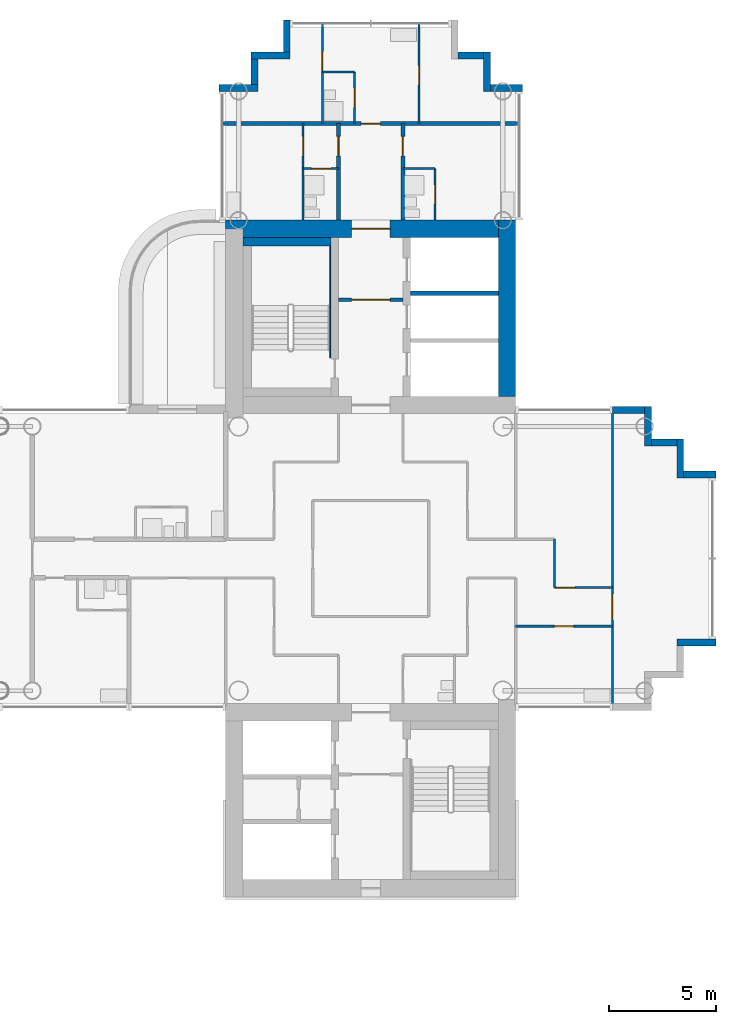
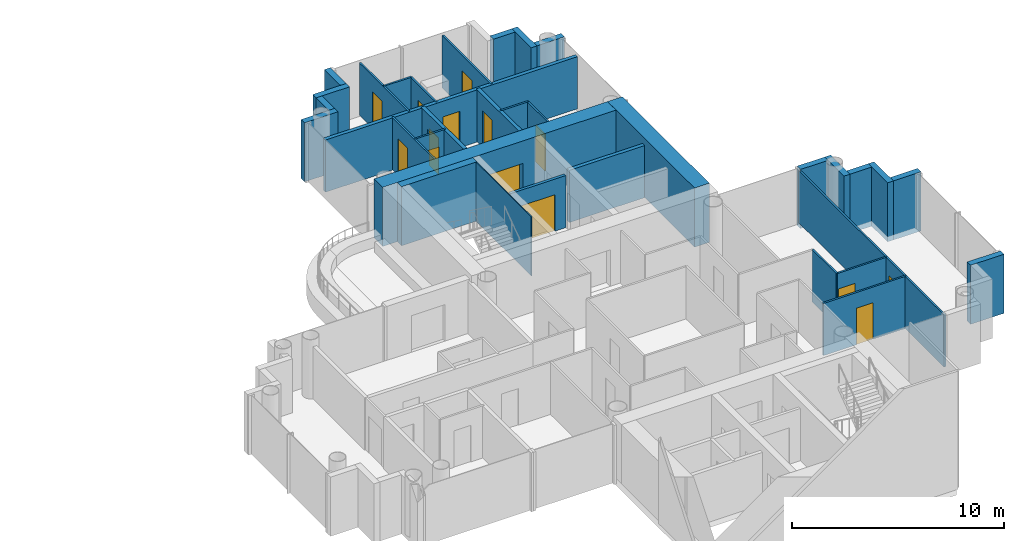
# One storey, part 12 of 20: 34 walls, 14 doors, 14 openings.
"""IFC4 building model written with IfcOpenShell, lengths in metres."""

from ifc_helpers import new_model, si_unit, direction, frame, frame_2d, origin, place, context, subcontext, project, spatial, rectangle, extrude, material, layer, layer_set, type_object, element, fill, save


model = new_model("IFC4")

# Units and contexts
model_context = context("Model", 3, precision=1e-05, world=origin(), true_north=direction((0.0, 1.0)))
body_context = subcontext(model_context, "Body", "Model", "MODEL_VIEW")
ifc_project = project(units=[si_unit("LENGTHUNIT", "METRE"), si_unit("AREAUNIT", "SQUARE_METRE"), si_unit("VOLUMEUNIT", "CUBIC_METRE"), si_unit("PLANEANGLEUNIT", "RADIAN"), si_unit("MASSUNIT", "GRAM", prefix="KILO")], contexts=[model_context])

# Site, building, storey
site_placement = place(None, origin())
site = spatial("IfcSite", under=ifc_project, at=site_placement, CompositionType="ELEMENT")
building_placement = place(site_placement, origin())
building = spatial("IfcBuilding", under=site, at=building_placement, Name="Ipe Terrace Towers", CompositionType="ELEMENT")
storey_placement = place(building_placement, frame((0.0, 0.0, 167.699951171875)))
storey = spatial("IfcBuildingStorey", under=building, at=storey_placement, Name="L46", CompositionType="ELEMENT", Elevation=167.699951171875)

# Walls
ifc_material_1 = material(Name="Concrete C40/50 with buff precast cladding", Category="concrete")
ifc_layer_1 = layer(ifc_material_1, 0.320068359375)
ifc_layer_set_1 = layer_set([ifc_layer_1], Name="BUFF CLADDING WALL 320")
wall_type_1 = type_object("IfcWallType", Name="BUFF CLADDING WALL 320", PredefinedType="STANDARD", material=ifc_layer_set_1)
wall_1_placement = place(storey_placement, frame((50.25, -3.909912109375, -0.300048828125), z_axis=(0.0, 0.0, 1.0), x_axis=(1.0, 0.0, 0.0)))
element("IfcWall", 1, at=wall_1_placement, inside=storey, type_object=wall_type_1, Name="T2-W-L46-07a wall", PredefinedType="STANDARD", context=body_context, shape_type="SweptSolid", body=[
    extrude(rectangle(XDim=1.820068359375, YDim=0.320068359375, at=frame_2d((0.91015625, 0.0))), origin(), (0.0, 0.0, 1.0), 3.400146484375),
])
wall_2_placement = place(storey_placement, frame((52.070068359375, 3.909912109375, -0.300048828125), z_axis=(0.0, 0.0, 1.0), x_axis=(-1.0, 0.0, 0.0)))
element("IfcWall", 2, at=wall_2_placement, inside=storey, type_object=wall_type_1, Name="T2-W-L46-09a wall", PredefinedType="STANDARD", context=body_context, shape_type="SweptSolid", body=[
    extrude(rectangle(XDim=1.5, YDim=0.320068359375, at=frame_2d((0.75, 0.0))), origin(), (0.0, 0.0, 1.0), 3.400146484375),
])
wall_3_placement = place(storey_placement, frame((50.409912109375, 3.75, -0.300048828125), z_axis=(0.0, 0.0, 1.0), x_axis=(0.0, 1.0, 0.0)))
element("IfcWall", 3, at=wall_3_placement, inside=storey, type_object=wall_type_1, Name="T2-W-L46-10a wall", PredefinedType="STANDARD", context=body_context, shape_type="SweptSolid", body=[
    extrude(rectangle(XDim=1.820068359375, YDim=0.320068359375, at=frame_2d((0.91015625, 0.0))), origin(), (0.0, 0.0, 1.0), 3.400146484375),
])
wall_4_placement = place(storey_placement, frame((50.25, 5.409912109375, -0.300048828125), z_axis=(0.0, 0.0, 1.0), x_axis=(-1.0, 0.0, 0.0)))
element("IfcWall", 4, at=wall_4_placement, inside=storey, type_object=wall_type_1, Name="T2-W-L46-11a wall", PredefinedType="STANDARD", context=body_context, shape_type="SweptSolid", body=[
    extrude(rectangle(XDim=1.179931640625, YDim=0.320068359375, at=frame_2d((0.58984375, 0.0))), origin(), (0.0, 0.0, 1.0), 3.400146484375),
])
wall_5_placement = place(storey_placement, frame((48.909912109375, 5.25, -0.300048828125), z_axis=(0.0, 0.0, 1.0), x_axis=(0.0, 1.0, 0.0)))
element("IfcWall", 5, at=wall_5_placement, inside=storey, type_object=wall_type_1, Name="T2-W-L46-12a wall", PredefinedType="STANDARD", context=body_context, shape_type="SweptSolid", body=[
    extrude(rectangle(XDim=1.820068359375, YDim=0.320068359375, at=frame_2d((0.91015625, 0.0))), origin(), (0.0, 0.0, 1.0), 3.400146484375),
])
for number, where, z_axis, x_axis, name in (
    (6, (48.75, 6.909912109375, -0.300048828125), (0.0, 0.0, 1.0), (-1.0, 0.0, 0.0), "T2-W-L46-13a wall"),
    (7, (43.070068359375, 21.909912109375, -0.300048828125), (0.0, 0.0, 1.0), (-1.0, 0.0, 0.0), "T2-W-L46-17a wall"),
):
    element("IfcWall", number, at=place(storey_placement, frame(where, z_axis=z_axis, x_axis=x_axis)), inside=storey, type_object=wall_type_1, Name=name, PredefinedType="STANDARD", context=body_context, shape_type="SweptSolid", body=[
        extrude(rectangle(XDim=1.5, YDim=0.320068359375, at=frame_2d((0.75, 0.0))), origin(), (0.0, 0.0, 1.0), 3.400146484375),
    ])
wall_6_placement = place(storey_placement, frame((41.409912109375, 21.75, -0.300048828125), z_axis=(0.0, 0.0, 1.0), x_axis=(0.0, 1.0, 0.0)))
element("IfcWall", 8, at=wall_6_placement, inside=storey, type_object=wall_type_1, Name="T2-W-L46-18a wall", PredefinedType="STANDARD", context=body_context, shape_type="SweptSolid", body=[
    extrude(rectangle(XDim=1.820068359375, YDim=0.320068359375, at=frame_2d((0.91015625, 0.0))), origin(), (0.0, 0.0, 1.0), 3.400146484375),
])
wall_7_placement = place(storey_placement, frame((41.25, 23.409912109375, -0.300048828125), z_axis=(0.0, 0.0, 1.0), x_axis=(-1.0, 0.0, 0.0)))
element("IfcWall", 9, at=wall_7_placement, inside=storey, type_object=wall_type_1, Name="T2-W-L46-19a wall", PredefinedType="STANDARD", context=body_context, shape_type="SweptSolid", body=[
    extrude(rectangle(XDim=1.179931640625, YDim=0.320068359375, at=frame_2d((0.58984375, 0.0))), origin(), (0.0, 0.0, 1.0), 3.400146484375),
])
wall_8_placement = place(storey_placement, frame((32.090087890625, 25.070068359375, -0.300048828125), z_axis=(0.0, 0.0, 1.0), x_axis=(0.0, -1.0, 0.0)))
element("IfcWall", 10, at=wall_8_placement, inside=storey, type_object=wall_type_1, Name="T2-W-L46-22a wall", PredefinedType="STANDARD", context=body_context, shape_type="SweptSolid", body=[
    extrude(rectangle(XDim=1.5, YDim=0.320068359375, at=frame_2d((0.75, 0.0))), origin(), (0.0, 0.0, 1.0), 3.400146484375),
])
wall_9_placement = place(storey_placement, frame((32.25, 23.409912109375, -0.300048828125), z_axis=(0.0, 0.0, 1.0), x_axis=(-1.0, 0.0, 0.0)))
element("IfcWall", 11, at=wall_9_placement, inside=storey, type_object=wall_type_1, Name="T2-W-L46-23a wall", PredefinedType="STANDARD", context=body_context, shape_type="SweptSolid", body=[
    extrude(rectangle(XDim=1.820068359375, YDim=0.320068359375, at=frame_2d((0.91015625, 0.0))), origin(), (0.0, 0.0, 1.0), 3.400146484375),
])
wall_10_placement = place(storey_placement, frame((30.590087890625, 23.25, -0.300048828125), z_axis=(0.0, 0.0, 1.0), x_axis=(0.0, -1.0, 0.0)))
element("IfcWall", 12, at=wall_10_placement, inside=storey, type_object=wall_type_1, Name="T2-W-L46-24a wall", PredefinedType="STANDARD", context=body_context, shape_type="SweptSolid", body=[
    extrude(rectangle(XDim=1.179931640625, YDim=0.320068359375, at=frame_2d((0.58984375, 0.0))), origin(), (0.0, 0.0, 1.0), 3.400146484375),
])
wall_11_placement = place(storey_placement, frame((30.75, 21.909912109375, -0.300048828125), z_axis=(0.0, 0.0, 1.0), x_axis=(-1.0, 0.0, 0.0)))
element("IfcWall", 13, at=wall_11_placement, inside=storey, type_object=wall_type_1, Name="T2-W-L46-25a wall", PredefinedType="STANDARD", context=body_context, shape_type="SweptSolid", body=[
    extrude(rectangle(XDim=1.820068359375, YDim=0.320068359375, at=frame_2d((0.91015625, 0.0))), origin(), (0.0, 0.0, 1.0), 3.400146484375),
])

# Wall, opening, door
ifc_material_2 = material(Name="Gypsum board partition", Category="plasterboard")
ifc_layer_2 = layer(ifc_material_2, 0.10009765625)
ifc_layer_set_2 = layer_set([ifc_layer_2], Name="Gypsum board partition 100 mm")
wall_type_2 = type_object("IfcWallType", Name="Gypsum board partition 100 mm", PredefinedType="PARTITIONING", material=ifc_layer_set_2)
wall_12_placement = place(storey_placement, frame((47.25, -3.14990234375, 0.0), z_axis=(0.0, 0.0, 1.0), x_axis=(-1.0, 0.0, 0.0)))
wall_12 = element("IfcWall", 14, at=wall_12_placement, inside=storey, type_object=wall_type_2, Name="Gypsum board partition T2 L46 W03", PredefinedType="PARTITIONING", context=body_context, shape_type="SweptSolid", body=[
    extrude(rectangle(XDim=4.5, YDim=0.10009765625, at=frame_2d((2.25, 0.0))), origin(), (0.0, 0.0, 1.0), 3.0),
])
opening_1_placement = place(wall_12_placement, frame((1.800048828125, 0.0, 0.0)))
opening_1 = element("IfcOpeningElement", 15, at=opening_1_placement, cuts=wall_12, Name="Opening T2-Z3F-14", PredefinedType="OPENING", context=body_context, shape_type="SweptSolid", body=[
    extrude(rectangle(XDim=0.89990234375, YDim=2.10009765625, at=frame_2d((0.449951171875, 1.050048828125))), frame((0.0, 0.06005859375, 0.0), z_axis=(0.0, -1.0, 0.0), x_axis=(1.0, 0.0, 0.0)), (0.0, 0.0, 1.0), 0.1201171875),
])
ifc_material_3 = material(Name="Timber door leaf", Category="wood")
door_type_1 = type_object("IfcDoorType", Name="Lounge door 900 x 2100", OperationType="NOTDEFINED", PredefinedType="DOOR", material=ifc_material_3)
door_1_placement = place(opening_1_placement, origin())
door_1 = element("IfcDoor", 16, at=door_1_placement, inside=storey, type_object=door_type_1, Name="Lounge door T2-Z3F-14", OperationType="SINGLE_SWING_LEFT", OverallHeight=2.10009765625, OverallWidth=0.89990234375, PredefinedType="DOOR", context=body_context, shape_type="SweptSolid", body=[
    extrude(rectangle(XDim=0.89990234375, YDim=2.10009765625, at=frame_2d((0.449951171875, 1.050048828125))), frame((0.0, 0.02490234375, 0.0), z_axis=(0.0, -1.0, 0.0), x_axis=(1.0, 0.0, 0.0)), (0.0, 0.0, 1.0), 0.050048828125),
])
fill(opening_1, door_1)

wall_13_placement = place(storey_placement, frame((47.25, -1.35009765625, 0.0), z_axis=(0.0, 0.0, 1.0), x_axis=(-1.0, 0.0, 0.0)))
wall_13 = element("IfcWall", 17, at=wall_13_placement, inside=storey, type_object=wall_type_2, Name="Gypsum board partition T2 L46 W06", PredefinedType="PARTITIONING", context=body_context, shape_type="SweptSolid", body=[
    extrude(rectangle(XDim=2.699951171875, YDim=0.10009765625, at=frame_2d((1.35009765625, 0.0))), origin(), (0.0, 0.0, 1.0), 3.0),
])
opening_2_placement = place(wall_13_placement, frame((1.72998046875, 0.0, 0.0)))
opening_2 = element("IfcOpeningElement", 18, at=opening_2_placement, cuts=wall_13, Name="Opening T2-Z3F-13", PredefinedType="OPENING", context=body_context, shape_type="SweptSolid", body=[
    extrude(rectangle(XDim=0.89990234375, YDim=2.10009765625, at=frame_2d((0.449951171875, 1.050048828125))), frame((0.0, 0.06005859375, 0.0), z_axis=(0.0, -1.0, 0.0), x_axis=(1.0, 0.0, 0.0)), (0.0, 0.0, 1.0), 0.1201171875),
])
door_2_placement = place(opening_2_placement, origin())
door_2 = element("IfcDoor", 19, at=door_2_placement, inside=storey, type_object=door_type_1, Name="Lounge door T2-Z3F-13", OperationType="SINGLE_SWING_RIGHT", OverallHeight=2.10009765625, OverallWidth=0.89990234375, PredefinedType="DOOR", context=body_context, shape_type="SweptSolid", body=[
    extrude(rectangle(XDim=0.89990234375, YDim=2.10009765625, at=frame_2d((0.449951171875, 1.050048828125))), frame((0.0, 0.02490234375, 0.0), z_axis=(0.0, -1.0, 0.0), x_axis=(1.0, 0.0, 0.0)), (0.0, 0.0, 1.0), 0.050048828125),
])
fill(opening_2, door_2)

# Wall
wall_14_placement = place(storey_placement, frame((39.0, 18.14990234375, 0.0), z_axis=(0.0, 0.0, 1.0), x_axis=(-1.0, 0.0, 0.0)))
element("IfcWall", 20, at=wall_14_placement, inside=storey, type_object=wall_type_2, Name="Gypsum board partition T2 L46 W17", PredefinedType="PARTITIONING", context=body_context, shape_type="SweptSolid", body=[
    extrude(rectangle(XDim=1.5, YDim=0.10009765625, at=frame_2d((0.75, 0.0))), origin(), (0.0, 0.0, 1.0), 3.0),
])

# Wall, opening, door
wall_15_placement = place(storey_placement, frame((34.5, 18.14990234375, 0.0), z_axis=(0.0, 0.0, 1.0), x_axis=(-1.0, 0.0, 0.0)))
wall_15 = element("IfcWall", 21, at=wall_15_placement, inside=storey, type_object=wall_type_2, Name="Gypsum board partition T2 L46 W18", PredefinedType="PARTITIONING", context=body_context, shape_type="SweptSolid", body=[
    extrude(rectangle(XDim=1.64990234375, YDim=0.10009765625, at=frame_2d((0.824951171875, 0.0))), origin(), (0.0, 0.0, 1.0), 3.0),
])
opening_3_placement = place(wall_15_placement, frame((0.35009765625, 0.0, 0.0)))
opening_3 = element("IfcOpeningElement", 22, at=opening_3_placement, cuts=wall_15, Name="Opening T2-Z3F-18", PredefinedType="OPENING", context=body_context, shape_type="SweptSolid", body=[
    extrude(rectangle(XDim=0.89990234375, YDim=2.10009765625, at=frame_2d((0.449951171875, 1.050048828125))), frame((0.0, 0.06005859375, 0.0), z_axis=(0.0, -1.0, 0.0), x_axis=(1.0, 0.0, 0.0)), (0.0, 0.0, 1.0), 0.1201171875),
])
ifc_material_4 = material(Name="Timber door leaf", Category="wood")
door_type_2 = type_object("IfcDoorType", Name="Bathroom door 900 x 2100", OperationType="NOTDEFINED", PredefinedType="DOOR", material=ifc_material_4)
door_3_placement = place(opening_3_placement, origin())
door_3 = element("IfcDoor", 23, at=door_3_placement, inside=storey, type_object=door_type_2, Name="Bathroom door T2-Z3F-18", OperationType="SINGLE_SWING_RIGHT", OverallHeight=2.10009765625, OverallWidth=0.89990234375, PredefinedType="DOOR", context=body_context, shape_type="SweptSolid", body=[
    extrude(rectangle(XDim=0.89990234375, YDim=2.10009765625, at=frame_2d((0.449951171875, 1.050048828125))), frame((0.0, 0.02490234375, 0.0), z_axis=(0.0, -1.0, 0.0), x_axis=(1.0, 0.0, 0.0)), (0.0, 0.0, 1.0), 0.050048828125),
])
fill(opening_3, door_3)

# Wall
wall_16_placement = place(storey_placement, frame((35.25, 22.64990234375, 0.0), z_axis=(0.0, 0.0, 1.0), x_axis=(-1.0, 0.0, 0.0)))
element("IfcWall", 24, at=wall_16_placement, inside=storey, type_object=wall_type_2, Name="Gypsum board partition T2 L46 W20", PredefinedType="PARTITIONING", context=body_context, shape_type="SweptSolid", body=[
    extrude(rectangle(XDim=1.5, YDim=0.10009765625, at=frame_2d((0.75, 0.0))), origin(), (0.0, 0.0, 1.0), 3.0),
])

# Wall, opening, door
wall_17_placement = place(storey_placement, frame((47.25, -6.85009765625, 0.0), z_axis=(0.0, 0.0, 1.0), x_axis=(0.0, 1.0, 0.0)))
wall_17 = element("IfcWall", 25, at=wall_17_placement, inside=storey, type_object=wall_type_2, Name="Gypsum board partition T2 L46 W21", PredefinedType="PARTITIONING", context=body_context, shape_type="SweptSolid", body=[
    extrude(rectangle(XDim=13.7001953125, YDim=0.10009765625, at=frame_2d((6.85009765625, 0.0))), origin(), (0.0, 0.0, 1.0), 3.0),
])
opening_4_placement = place(wall_17_placement, frame((4.0, 0.0, 0.0)))
opening_4 = element("IfcOpeningElement", 26, at=opening_4_placement, cuts=wall_17, Name="Opening T2-Z3F-15", PredefinedType="OPENING", context=body_context, shape_type="SweptSolid", body=[
    extrude(rectangle(XDim=1.199951171875, YDim=2.10009765625, at=frame_2d((0.60009765625, 1.050048828125))), frame((0.0, 0.06005859375, 0.0), z_axis=(0.0, -1.0, 0.0), x_axis=(1.0, 0.0, 0.0)), (0.0, 0.0, 1.0), 0.1201171875),
])
ifc_material_5 = material(Name="Timber door leaf", Category="wood")
door_type_3 = type_object("IfcDoorType", Name="Lounge door 1200 x 2100", OperationType="NOTDEFINED", PredefinedType="DOOR", material=ifc_material_5)
door_4_placement = place(opening_4_placement, origin())
door_4 = element("IfcDoor", 27, at=door_4_placement, inside=storey, type_object=door_type_3, Name="Lounge door T2-Z3F-15", OperationType="SINGLE_SWING_LEFT", OverallHeight=2.10009765625, OverallWidth=1.199951171875, PredefinedType="DOOR", context=body_context, shape_type="SweptSolid", body=[
    extrude(rectangle(XDim=1.199951171875, YDim=2.10009765625, at=frame_2d((0.60009765625, 1.050048828125))), frame((0.0, 0.02490234375, 0.0), z_axis=(0.0, -1.0, 0.0), x_axis=(1.0, 0.0, 0.0)), (0.0, 0.0, 1.0), 0.050048828125),
])
fill(opening_4, door_4)

# Wall
wall_18_placement = place(storey_placement, frame((44.550048828125, -1.35009765625, 0.0), z_axis=(0.0, 0.0, 1.0), x_axis=(0.0, 1.0, 0.0)))
element("IfcWall", 28, at=wall_18_placement, inside=storey, type_object=wall_type_2, Name="Gypsum board partition T2 L46 W22", PredefinedType="PARTITIONING", context=body_context, shape_type="SweptSolid", body=[
    extrude(rectangle(XDim=2.25, YDim=0.10009765625, at=frame_2d((1.125, 0.0))), origin(), (0.0, 0.0, 1.0), 3.0),
])

# Wall, opening, door
wall_19_placement = place(storey_placement, frame((39.0, 15.75, 0.0), z_axis=(0.0, 0.0, 1.0), x_axis=(0.0, 1.0, 0.0)))
wall_19 = element("IfcWall", 29, at=wall_19_placement, inside=storey, type_object=wall_type_2, Name="Gypsum board partition T2 L46 W28", PredefinedType="PARTITIONING", context=body_context, shape_type="SweptSolid", body=[
    extrude(rectangle(XDim=2.39990234375, YDim=0.10009765625, at=frame_2d((1.199951171875, 0.0))), origin(), (0.0, 0.0, 1.0), 3.0),
])
opening_5_placement = place(wall_19_placement, frame((0.75, 0.0, 0.0)))
opening_5 = element("IfcOpeningElement", 30, at=opening_5_placement, cuts=wall_19, Name="Opening T2-Z3F-20", PredefinedType="OPENING", context=body_context, shape_type="SweptSolid", body=[
    extrude(rectangle(XDim=0.89990234375, YDim=2.10009765625, at=frame_2d((0.449951171875, 1.050048828125))), frame((0.0, 0.06005859375, 0.0), z_axis=(0.0, -1.0, 0.0), x_axis=(1.0, 0.0, 0.0)), (0.0, 0.0, 1.0), 0.1201171875),
])
door_5_placement = place(opening_5_placement, origin())
door_5 = element("IfcDoor", 31, at=door_5_placement, inside=storey, type_object=door_type_2, Name="Bathroom door T2-Z3F-20", OperationType="SINGLE_SWING_LEFT", OverallHeight=2.10009765625, OverallWidth=0.89990234375, PredefinedType="DOOR", context=body_context, shape_type="SweptSolid", body=[
    extrude(rectangle(XDim=0.89990234375, YDim=2.10009765625, at=frame_2d((0.449951171875, 1.050048828125))), frame((0.0, 0.02490234375, 0.0), z_axis=(0.0, -1.0, 0.0), x_axis=(1.0, 0.0, 0.0)), (0.0, 0.0, 1.0), 0.050048828125),
])
fill(opening_5, door_5)

wall_20_placement = place(storey_placement, frame((38.25, 20.25, 0.0), z_axis=(0.0, 0.0, 1.0), x_axis=(0.0, 1.0, 0.0)))
wall_20 = element("IfcWall", 32, at=wall_20_placement, inside=storey, type_object=wall_type_2, Name="Gypsum board partition T2 L46 W30", PredefinedType="PARTITIONING", context=body_context, shape_type="SweptSolid", body=[
    extrude(rectangle(XDim=4.60009765625, YDim=0.10009765625, at=frame_2d((2.300048828125, 0.0))), origin(), (0.0, 0.0, 1.0), 3.0),
])
opening_6_placement = place(wall_20_placement, frame((1.800048828125, 0.0, 0.0)))
opening_6 = element("IfcOpeningElement", 33, at=opening_6_placement, cuts=wall_20, Name="Opening T2-Z3F-24", PredefinedType="OPENING", context=body_context, shape_type="SweptSolid", body=[
    extrude(rectangle(XDim=0.89990234375, YDim=2.10009765625, at=frame_2d((0.449951171875, 1.050048828125))), frame((0.0, 0.06005859375, 0.0), z_axis=(0.0, -1.0, 0.0), x_axis=(1.0, 0.0, 0.0)), (0.0, 0.0, 1.0), 0.1201171875),
])
door_6_placement = place(opening_6_placement, origin())
door_6 = element("IfcDoor", 34, at=door_6_placement, inside=storey, type_object=door_type_1, Name="Lounge door T2-Z3F-24", OperationType="SINGLE_SWING_LEFT", OverallHeight=2.10009765625, OverallWidth=0.89990234375, PredefinedType="DOOR", context=body_context, shape_type="SweptSolid", body=[
    extrude(rectangle(XDim=0.89990234375, YDim=2.10009765625, at=frame_2d((0.449951171875, 1.050048828125))), frame((0.0, 0.02490234375, 0.0), z_axis=(0.0, -1.0, 0.0), x_axis=(1.0, 0.0, 0.0)), (0.0, 0.0, 1.0), 0.050048828125),
])
fill(opening_6, door_6)

wall_21_placement = place(storey_placement, frame((35.25, 20.25, 0.0), z_axis=(0.0, 0.0, 1.0), x_axis=(0.0, 1.0, 0.0)))
wall_21 = element("IfcWall", 35, at=wall_21_placement, inside=storey, type_object=wall_type_2, Name="Gypsum board partition T2 L46 W34", PredefinedType="PARTITIONING", context=body_context, shape_type="SweptSolid", body=[
    extrude(rectangle(XDim=2.39990234375, YDim=0.10009765625, at=frame_2d((1.199951171875, 0.0))), origin(), (0.0, 0.0, 1.0), 3.0),
])
opening_7_placement = place(wall_21_placement, frame((0.75, 0.0, 0.0)))
opening_7 = element("IfcOpeningElement", 36, at=opening_7_placement, cuts=wall_21, Name="Opening T2-Z3F-21", PredefinedType="OPENING", context=body_context, shape_type="SweptSolid", body=[
    extrude(rectangle(XDim=0.89990234375, YDim=2.10009765625, at=frame_2d((0.449951171875, 1.050048828125))), frame((0.0, 0.06005859375, 0.0), z_axis=(0.0, -1.0, 0.0), x_axis=(1.0, 0.0, 0.0)), (0.0, 0.0, 1.0), 0.1201171875),
])
door_7_placement = place(opening_7_placement, origin())
door_7 = element("IfcDoor", 37, at=door_7_placement, inside=storey, type_object=door_type_2, Name="Bathroom door T2-Z3F-21", OperationType="SINGLE_SWING_LEFT", OverallHeight=2.10009765625, OverallWidth=0.89990234375, PredefinedType="DOOR", context=body_context, shape_type="SweptSolid", body=[
    extrude(rectangle(XDim=0.89990234375, YDim=2.10009765625, at=frame_2d((0.449951171875, 1.050048828125))), frame((0.0, 0.02490234375, 0.0), z_axis=(0.0, -1.0, 0.0), x_axis=(1.0, 0.0, 0.0)), (0.0, 0.0, 1.0), 0.050048828125),
])
fill(opening_7, door_7)

wall_22_placement = place(storey_placement, frame((33.75, 20.25, 0.0), z_axis=(0.0, 0.0, 1.0), x_axis=(0.0, 1.0, 0.0)))
wall_22 = element("IfcWall", 38, at=wall_22_placement, inside=storey, type_object=wall_type_2, Name="Gypsum board partition T2 L46 W38", PredefinedType="PARTITIONING", context=body_context, shape_type="SweptSolid", body=[
    extrude(rectangle(XDim=4.60009765625, YDim=0.10009765625, at=frame_2d((2.300048828125, 0.0))), origin(), (0.0, 0.0, 1.0), 3.0),
])
opening_8_placement = place(wall_22_placement, frame((2.449951171875, 0.0, 0.0)))
opening_8 = element("IfcOpeningElement", 39, at=opening_8_placement, cuts=wall_22, Name="Opening T2-Z3F-23", PredefinedType="OPENING", context=body_context, shape_type="SweptSolid", body=[
    extrude(rectangle(XDim=0.89990234375, YDim=2.10009765625, at=frame_2d((0.449951171875, 1.050048828125))), frame((0.0, 0.06005859375, 0.0), z_axis=(0.0, -1.0, 0.0), x_axis=(1.0, 0.0, 0.0)), (0.0, 0.0, 1.0), 0.1201171875),
])
door_8_placement = place(opening_8_placement, origin())
door_8 = element("IfcDoor", 40, at=door_8_placement, inside=storey, type_object=door_type_1, Name="Lounge door T2-Z3F-23", OperationType="SINGLE_SWING_LEFT", OverallHeight=2.10009765625, OverallWidth=0.89990234375, PredefinedType="DOOR", context=body_context, shape_type="SweptSolid", body=[
    extrude(rectangle(XDim=0.89990234375, YDim=2.10009765625, at=frame_2d((0.449951171875, 1.050048828125))), frame((0.0, 0.02490234375, 0.0), z_axis=(0.0, -1.0, 0.0), x_axis=(1.0, 0.0, 0.0)), (0.0, 0.0, 1.0), 0.050048828125),
])
fill(opening_8, door_8)

wall_23_placement = place(storey_placement, frame((32.85009765625, 15.75, 0.0), z_axis=(0.0, 0.0, 1.0), x_axis=(0.0, 1.0, 0.0)))
wall_23 = element("IfcWall", 41, at=wall_23_placement, inside=storey, type_object=wall_type_2, Name="Gypsum board partition T2 L46 W40", PredefinedType="PARTITIONING", context=body_context, shape_type="SweptSolid", body=[
    extrude(rectangle(XDim=4.5, YDim=0.10009765625, at=frame_2d((2.25, 0.0))), origin(), (0.0, 0.0, 1.0), 3.0),
])
opening_9_placement = place(wall_23_placement, frame((3.0, 0.0, 0.0)))
opening_9 = element("IfcOpeningElement", 42, at=opening_9_placement, cuts=wall_23, Name="Opening T2-Z3F-17", PredefinedType="OPENING", context=body_context, shape_type="SweptSolid", body=[
    extrude(rectangle(XDim=0.89990234375, YDim=2.10009765625, at=frame_2d((0.449951171875, 1.050048828125))), frame((0.0, 0.06005859375, 0.0), z_axis=(0.0, -1.0, 0.0), x_axis=(1.0, 0.0, 0.0)), (0.0, 0.0, 1.0), 0.1201171875),
])
ifc_material_6 = material(Name="Timber door leaf", Category="wood")
door_type_4 = type_object("IfcDoorType", Name="Bedroom door 900 x 2100", OperationType="NOTDEFINED", PredefinedType="DOOR", material=ifc_material_6)
door_9_placement = place(opening_9_placement, origin())
door_9 = element("IfcDoor", 43, at=door_9_placement, inside=storey, type_object=door_type_4, Name="Bedroom door T2-Z3F-17", OperationType="SINGLE_SWING_LEFT", OverallHeight=2.10009765625, OverallWidth=0.89990234375, PredefinedType="DOOR", context=body_context, shape_type="SweptSolid", body=[
    extrude(rectangle(XDim=0.89990234375, YDim=2.10009765625, at=frame_2d((0.449951171875, 1.050048828125))), frame((0.0, 0.02490234375, 0.0), z_axis=(0.0, -1.0, 0.0), x_axis=(1.0, 0.0, 0.0)), (0.0, 0.0, 1.0), 0.050048828125),
])
fill(opening_9, door_9)

ifc_material_7 = material(Name="Gypsum board partition", Category="plasterboard")
ifc_layer_3 = layer(ifc_material_7, 0.14990234375)
ifc_layer_set_3 = layer_set([ifc_layer_3], Name="Gypsum board partition 150 mm")
wall_type_3 = type_object("IfcWallType", Name="Gypsum board partition 150 mm", PredefinedType="PARTITIONING", material=ifc_layer_set_3)
wall_24_placement = place(storey_placement, frame((37.5, 12.050048828125, 0.0), z_axis=(0.0, 0.0, 1.0), x_axis=(-1.0, 0.0, 0.0)))
wall_24 = element("IfcWall", 44, at=wall_24_placement, inside=storey, type_object=wall_type_3, Name="Gypsum board partition T2 L46 t2c1-lobby-wall", PredefinedType="PARTITIONING", context=body_context, shape_type="SweptSolid", body=[
    extrude(rectangle(XDim=3.0, YDim=0.14990234375, at=frame_2d((1.5, 0.0))), origin(), (0.0, 0.0, 1.0), 3.0),
])
opening_10_placement = place(wall_24_placement, frame((0.60009765625, 0.0, 0.0)))
opening_10 = element("IfcOpeningElement", 45, at=opening_10_placement, cuts=wall_24, Name="Opening T2C1-VD", PredefinedType="OPENING", context=body_context, shape_type="SweptSolid", body=[
    extrude(rectangle(XDim=1.800048828125, YDim=2.10009765625, at=frame_2d((0.89990234375, 1.050048828125))), frame((0.0, 0.0849609375, 0.0), z_axis=(0.0, -1.0, 0.0), x_axis=(1.0, 0.0, 0.0)), (0.0, 0.0, 1.0), 0.169921875),
])
ifc_material_8 = material(Name="Fire-rated timber door leaf", Category="wood")
door_type_5 = type_object("IfcDoorType", Name="Lobby door 1800 x 2100 FD60", OperationType="NOTDEFINED", PredefinedType="DOOR", material=ifc_material_8)
door_10_placement = place(opening_10_placement, origin())
door_10 = element("IfcDoor", 46, at=door_10_placement, inside=storey, type_object=door_type_5, Name="Lobby door T2C1-VD", OperationType="SINGLE_SWING_LEFT", OverallHeight=2.10009765625, OverallWidth=1.800048828125, PredefinedType="DOOR", context=body_context, shape_type="SweptSolid", body=[
    extrude(rectangle(XDim=1.800048828125, YDim=2.10009765625, at=frame_2d((0.89990234375, 1.050048828125))), frame((0.0, 0.02490234375, 0.0), z_axis=(0.0, -1.0, 0.0), x_axis=(1.0, 0.0, 0.0)), (0.0, 0.0, 1.0), 0.050048828125),
])
fill(opening_10, door_10)

# Wall
ifc_material_9 = material(Name="Gypsum board party wall", Category="plasterboard")
ifc_layer_4 = layer(ifc_material_9, 0.199951171875)
ifc_layer_set_4 = layer_set([ifc_layer_4], Name="Gypsum board party wall 200 mm")
wall_type_4 = type_object("IfcWallType", Name="Gypsum board party wall 200 mm", PredefinedType="SOLIDWALL", material=ifc_layer_set_4)
wall_25_placement = place(storey_placement, frame((41.949951171875, 12.35009765625, 0.0), z_axis=(0.0, 0.0, 1.0), x_axis=(-1.0, 0.0, 0.0)))
element("IfcWall", 47, at=wall_25_placement, inside=storey, type_object=wall_type_4, Name="Gypsum board party wall T2 L46 t2c1-shaft-div2", PredefinedType="SOLIDWALL", context=body_context, shape_type="SweptSolid", body=[
    extrude(rectangle(XDim=4.099853515625, YDim=0.199951171875, at=frame_2d((2.0498046875, 0.0))), origin(), (0.0, 0.0, 1.0), 3.0),
])

# Wall, opening, door
wall_26_placement = place(storey_placement, frame((42.85009765625, 20.25, 0.0), z_axis=(0.0, 0.0, 1.0), x_axis=(-1.0, 0.0, 0.0)))
wall_26 = element("IfcWall", 48, at=wall_26_placement, inside=storey, type_object=wall_type_4, Name="Gypsum board party wall T2 L46 W19", PredefinedType="SOLIDWALL", context=body_context, shape_type="SweptSolid", body=[
    extrude(rectangle(XDim=13.7001953125, YDim=0.199951171875, at=frame_2d((6.85009765625, 0.0))), origin(), (0.0, 0.0, 1.0), 3.0),
])
opening_11_placement = place(wall_26_placement, frame((6.39990234375, 0.0, 0.0)))
opening_11 = element("IfcOpeningElement", 49, at=opening_11_placement, cuts=wall_26, Name="Opening T2-Z3F-22", PredefinedType="OPENING", context=body_context, shape_type="SweptSolid", body=[
    extrude(rectangle(XDim=0.89990234375, YDim=2.10009765625, at=frame_2d((0.449951171875, 1.050048828125))), frame((0.0, 0.10986328125, 0.0), z_axis=(0.0, -1.0, 0.0), x_axis=(1.0, 0.0, 0.0)), (0.0, 0.0, 1.0), 0.219970703125),
])
ifc_material_10 = material(Name="Fire-rated timber door leaf", Category="wood")
door_type_6 = type_object("IfcDoorType", Name="Flat entrance door 900 x 2100 FD30S", OperationType="NOTDEFINED", PredefinedType="DOOR", material=ifc_material_10)
door_11_placement = place(opening_11_placement, origin())
door_11 = element("IfcDoor", 50, at=door_11_placement, inside=storey, type_object=door_type_6, Name="Flat entrance door T2-Z3F-22", OperationType="SINGLE_SWING_RIGHT", OverallHeight=2.10009765625, OverallWidth=0.89990234375, PredefinedType="DOOR", context=body_context, shape_type="SweptSolid", body=[
    extrude(rectangle(XDim=0.89990234375, YDim=2.10009765625, at=frame_2d((0.449951171875, 1.050048828125))), frame((0.0, 0.02490234375, 0.0), z_axis=(0.0, -1.0, 0.0), x_axis=(1.0, 0.0, 0.0)), (0.0, 0.0, 1.0), 0.050048828125),
])
fill(opening_11, door_11)

wall_27_placement = place(storey_placement, frame((37.5, 15.75, 0.0), z_axis=(0.0, 0.0, 1.0), x_axis=(0.0, 1.0, 0.0)))
wall_27 = element("IfcWall", 51, at=wall_27_placement, inside=storey, type_object=wall_type_4, Name="Gypsum board party wall T2 L46 W33", PredefinedType="SOLIDWALL", context=body_context, shape_type="SweptSolid", body=[
    extrude(rectangle(XDim=4.5, YDim=0.199951171875, at=frame_2d((2.25, 0.0))), origin(), (0.0, 0.0, 1.0), 3.0),
])
opening_12_placement = place(wall_27_placement, frame((3.0, 0.0, 0.0)))
opening_12 = element("IfcOpeningElement", 52, at=opening_12_placement, cuts=wall_27, Name="Opening T2-Z3F-19", PredefinedType="OPENING", context=body_context, shape_type="SweptSolid", body=[
    extrude(rectangle(XDim=0.89990234375, YDim=2.10009765625, at=frame_2d((0.449951171875, 1.050048828125))), frame((0.0, 0.10986328125, 0.0), z_axis=(0.0, -1.0, 0.0), x_axis=(1.0, 0.0, 0.0)), (0.0, 0.0, 1.0), 0.219970703125),
])
door_12_placement = place(opening_12_placement, origin())
door_12 = element("IfcDoor", 53, at=door_12_placement, inside=storey, type_object=door_type_6, Name="Flat entrance door T2-Z3F-19", OperationType="SINGLE_SWING_RIGHT", OverallHeight=2.10009765625, OverallWidth=0.89990234375, PredefinedType="DOOR", context=body_context, shape_type="SweptSolid", body=[
    extrude(rectangle(XDim=0.89990234375, YDim=2.10009765625, at=frame_2d((0.449951171875, 1.050048828125))), frame((0.0, 0.02490234375, 0.0), z_axis=(0.0, -1.0, 0.0), x_axis=(1.0, 0.0, 0.0)), (0.0, 0.0, 1.0), 0.050048828125),
])
fill(opening_12, door_12)

wall_28_placement = place(storey_placement, frame((34.5, 15.75, 0.0), z_axis=(0.0, 0.0, 1.0), x_axis=(0.0, 1.0, 0.0)))
wall_28 = element("IfcWall", 54, at=wall_28_placement, inside=storey, type_object=wall_type_4, Name="Gypsum board party wall T2 L46 W37", PredefinedType="SOLIDWALL", context=body_context, shape_type="SweptSolid", body=[
    extrude(rectangle(XDim=4.5, YDim=0.199951171875, at=frame_2d((2.25, 0.0))), origin(), (0.0, 0.0, 1.0), 3.0),
])
opening_13_placement = place(wall_28_placement, frame((3.0, 0.0, 0.0)))
opening_13 = element("IfcOpeningElement", 55, at=opening_13_placement, cuts=wall_28, Name="Opening T2-Z3F-16", PredefinedType="OPENING", context=body_context, shape_type="SweptSolid", body=[
    extrude(rectangle(XDim=0.89990234375, YDim=2.10009765625, at=frame_2d((0.449951171875, 1.050048828125))), frame((0.0, 0.10986328125, 0.0), z_axis=(0.0, -1.0, 0.0), x_axis=(1.0, 0.0, 0.0)), (0.0, 0.0, 1.0), 0.219970703125),
])
door_13_placement = place(opening_13_placement, origin())
door_13 = element("IfcDoor", 56, at=door_13_placement, inside=storey, type_object=door_type_6, Name="Flat entrance door T2-Z3F-16", OperationType="SINGLE_SWING_LEFT", OverallHeight=2.10009765625, OverallWidth=0.89990234375, PredefinedType="DOOR", context=body_context, shape_type="SweptSolid", body=[
    extrude(rectangle(XDim=0.89990234375, YDim=2.10009765625, at=frame_2d((0.449951171875, 1.050048828125))), frame((0.0, 0.02490234375, 0.0), z_axis=(0.0, -1.0, 0.0), x_axis=(1.0, 0.0, 0.0)), (0.0, 0.0, 1.0), 0.050048828125),
])
fill(opening_13, door_13)

# Walls
ifc_material_11 = material(Name="Concrete C50/60", Category="concrete")
ifc_layer_5 = layer(ifc_material_11, 0.39990234375)
ifc_layer_set_5 = layer_set([ifc_layer_5], Name="RW400 CORE INFILL WALL 400 C50-60")
wall_type_5 = type_object("IfcWallType", Name="RW400 CORE INFILL WALL 400 C50-60", PredefinedType="SHEAR", material=ifc_layer_set_5)
wall_29_placement = place(storey_placement, frame((34.14990234375, 14.75, 0.0), z_axis=(0.0, 0.0, 1.0), x_axis=(-1.0, 0.0, 0.0)))
element("IfcWall", 57, at=wall_29_placement, inside=storey, type_object=wall_type_5, Name="Core infill wall T2-C1-far", PredefinedType="SHEAR", context=body_context, shape_type="SweptSolid", body=[
    extrude(rectangle(XDim=4.099853515625, YDim=0.39990234375, at=frame_2d((2.0498046875, 0.0))), origin(), (0.0, 0.0, 1.0), 3.400146484375),
])
ifc_material_12 = material(Name="Concrete C50/60", Category="concrete")
ifc_layer_6 = layer(ifc_material_12, 0.050048828125)
ifc_layer_set_6 = layer_set([ifc_layer_6], Name="RW50 CORE INFILL WALL 50 C50-60")
wall_type_6 = type_object("IfcWallType", Name="RW50 CORE INFILL WALL 50 C50-60", PredefinedType="SHEAR", material=ifc_layer_set_6)
wall_30_placement = place(storey_placement, frame((34.125, 9.35009765625, 0.0), z_axis=(0.0, 0.0, 1.0), x_axis=(0.0, 1.0, 0.0)))
element("IfcWall", 58, at=wall_30_placement, inside=storey, type_object=wall_type_6, Name="Core infill wall T2-C1-spine-b", PredefinedType="SHEAR", context=body_context, shape_type="SweptSolid", body=[
    extrude(rectangle(XDim=5.199951171875, YDim=0.050048828125, at=frame_2d((2.60009765625, 0.0))), origin(), (0.0, 0.0, 1.0), 3.400146484375),
])
ifc_material_13 = material(Name="Concrete C50/60", Category="concrete")
ifc_layer_7 = layer(ifc_material_13, 0.800048828125)
ifc_layer_set_7 = layer_set([ifc_layer_7], Name="RW800 CORE WALL 800 C50-60")
wall_type_7 = type_object("IfcWallType", Name="RW800 CORE WALL 800 C50-60", PredefinedType="SHEAR", material=ifc_layer_set_7)
wall_31_placement = place(storey_placement, frame((42.35009765625, 7.550048828125, 0.0), z_axis=(0.0, 0.0, 1.0), x_axis=(0.0, 1.0, 0.0)))
element("IfcWall", 59, at=wall_31_placement, inside=storey, type_object=wall_type_7, Name="Core wall T2-C1-Z3-W02", PredefinedType="SHEAR", context=body_context, shape_type="SweptSolid", body=[
    extrude(rectangle(XDim=8.199951171875, YDim=0.800048828125, at=frame_2d((4.10009765625, 0.0))), origin(), (0.0, 0.0, 1.0), 3.400146484375),
])

# Wall, opening, door
wall_32_placement = place(storey_placement, frame((41.949951171875, 15.35009765625, 0.0), z_axis=(0.0, 0.0, 1.0), x_axis=(-1.0, 0.0, 0.0)))
wall_32 = element("IfcWall", 60, at=wall_32_placement, inside=storey, type_object=wall_type_7, Name="Core wall T2-C1-Z3-W03", PredefinedType="SHEAR", context=body_context, shape_type="SweptSolid", body=[
    extrude(rectangle(XDim=12.699951171875, YDim=0.800048828125, at=frame_2d((6.35009765625, 0.0))), origin(), (0.0, 0.0, 1.0), 3.400146484375),
])
opening_14_placement = place(wall_32_placement, frame((5.050048828125, 0.0, 0.0)))
opening_14 = element("IfcOpeningElement", 61, at=opening_14_placement, cuts=wall_32, Name="Opening T2C1-FD", PredefinedType="OPENING", context=body_context, shape_type="SweptSolid", body=[
    extrude(rectangle(XDim=1.800048828125, YDim=2.10009765625, at=frame_2d((0.89990234375, 1.050048828125))), frame((0.0, 0.41015625, 0.0), z_axis=(0.0, -1.0, 0.0), x_axis=(1.0, 0.0, 0.0)), (0.0, 0.0, 1.0), 0.820068359375),
])
ifc_material_14 = material(Name="Fire-rated timber door leaf", Category="wood")
door_type_7 = type_object("IfcDoorType", Name="Fire door 1800 x 2100 FD30S", OperationType="NOTDEFINED", PredefinedType="DOOR", material=ifc_material_14)
door_14_placement = place(opening_14_placement, origin())
door_14 = element("IfcDoor", 62, at=door_14_placement, inside=storey, type_object=door_type_7, Name="Fire door T2C1-FD", OperationType="SINGLE_SWING_LEFT", OverallHeight=2.10009765625, OverallWidth=1.800048828125, PredefinedType="DOOR", context=body_context, shape_type="SweptSolid", body=[
    extrude(rectangle(XDim=1.800048828125, YDim=2.10009765625, at=frame_2d((0.89990234375, 1.050048828125))), frame((0.0, 0.02490234375, 0.0), z_axis=(0.0, -1.0, 0.0), x_axis=(1.0, 0.0, 0.0)), (0.0, 0.0, 1.0), 0.050048828125),
])
fill(opening_14, door_14)

save(model, "model.ifc")
